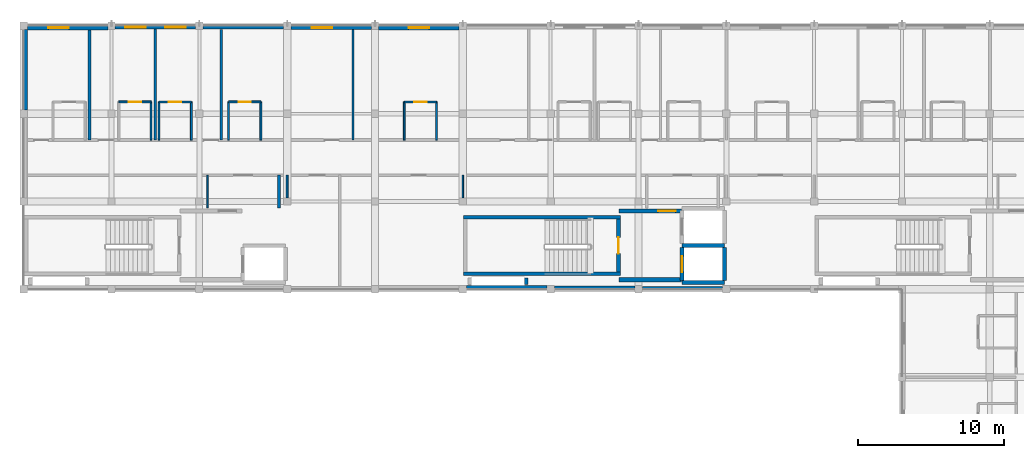
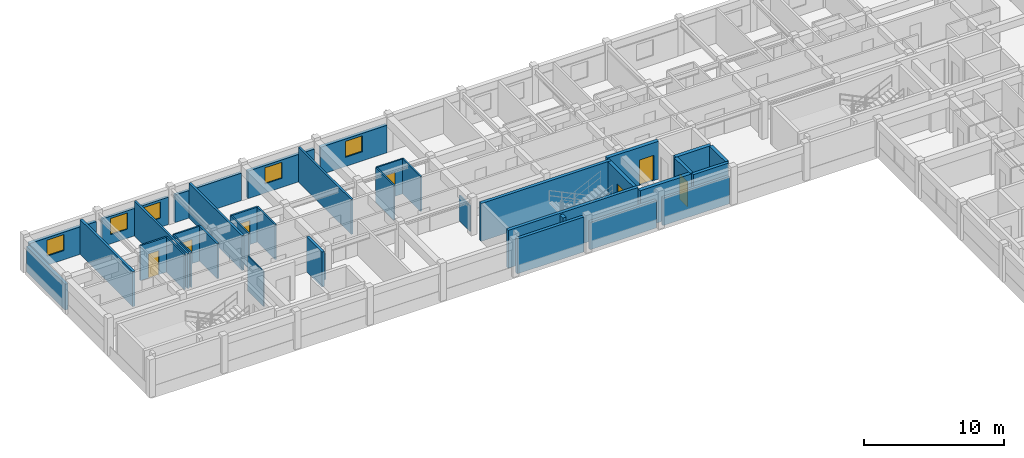
# One storey, part 4 of 14: 38 walls, 7 doors, 5 windows, 12 openings.
"""IFC4 building model written with IfcOpenShell, lengths in metres."""

import ifcopenshell
import ifcopenshell.guid

model = None  # the IFC model being written
_history = None  # IfcOwnerHistory: only IFC2X3 demands one
_inside = {}  # id of a spatial element -> (the spatial element, [elements in it])
_under = {}  # id of a project, library or spatial element -> (it, [spatial elements below it])
_declared = {}  # id of a project -> (the project, [libraries it declares])
_typed = {}  # id of a type object -> (the type object, [elements of that type])
_made_of = {}  # id of a material, layer set ... -> (it, [elements and type objects made of it])


def new_model(schema):
    """Start an empty IFC model of exactly this schema.

    Asked for "IFC4X3", IfcOpenShell would pick the latest addendum, in which some entities
    have other attributes; the version numbers below select the first issue.
    IFC2X3 requires an IfcOwnerHistory on every rooted entity: one is made here for all.
    """
    global model, _history
    if schema == "IFC4X3":
        model = ifcopenshell.file(schema_version=(4, 3, 0, 0))
    else:
        model = ifcopenshell.file(schema=schema)
    _inside.clear()
    _under.clear()
    _declared.clear()
    _typed.clear()
    _made_of.clear()
    _history = None
    if model.schema == "IFC2X3":
        org = make("IfcOrganization", Name="unknown")
        user = make(
            "IfcPersonAndOrganization",
            ThePerson=make("IfcPerson", FamilyName="unknown"),
            TheOrganization=org,
        )
        app = make(
            "IfcApplication",
            ApplicationDeveloper=org,
            Version="unknown",
            ApplicationFullName="unknown",
            ApplicationIdentifier="unknown",
        )
        _history = make(
            "IfcOwnerHistory",
            OwningUser=user,
            OwningApplication=app,
            ChangeAction="ADDED",
            CreationDate=0,
        )
    return model


def make(cls, **values):
    """One entity of the class cls with the attributes given. An attribute that is None is left unset."""
    return model.create_entity(
        cls, **{name: value for name, value in values.items() if value is not None}
    )


def rooted(cls, **values):
    """An entity with a GlobalId (a new one), such as an element, a storey or a relation."""
    return make(cls, GlobalId=ifcopenshell.guid.new(), OwnerHistory=_history, **values)


def si_unit(unit_type, name, prefix=None):
    """IfcSIUnit, for example si_unit("LENGTHUNIT", "METRE", prefix="MILLI")."""
    return make("IfcSIUnit", UnitType=unit_type, Prefix=prefix, Name=name)


def assignment(units):
    """IfcUnitAssignment: the units of a project."""
    return None if units is None else make("IfcUnitAssignment", Units=units)


def point(xyz):
    """IfcCartesianPoint."""
    return None if xyz is None else make("IfcCartesianPoint", Coordinates=xyz)


def direction(xyz):
    """IfcDirection."""
    return None if xyz is None else make("IfcDirection", DirectionRatios=xyz)


def frame(location, z_axis=None, x_axis=None):
    """IfcAxis2Placement3D, a coordinate frame: its origin and axes. An axis left out is left unset."""
    return make(
        "IfcAxis2Placement3D",
        Location=point(location),
        Axis=direction(z_axis),
        RefDirection=direction(x_axis),
    )


def frame_2d(location, x_axis=None):
    """IfcAxis2Placement2D, a coordinate frame in the plane: its origin and x axis."""
    return make(
        "IfcAxis2Placement2D", Location=point(location), RefDirection=direction(x_axis)
    )


def origin():
    """The frame at (0, 0, 0) with its axes left unset."""
    return frame((0.0, 0.0, 0.0))


def place(relative_to, where):
    """IfcLocalPlacement: puts the frame where relative to a parent placement (None: the world)."""
    return make(
        "IfcLocalPlacement", PlacementRelTo=relative_to, RelativePlacement=where
    )


def context(
    kind, dimensions, precision=None, world=None, true_north=None, identifier=None
):
    """IfcGeometricRepresentationContext, for example the 3D "Model" context."""
    return make(
        "IfcGeometricRepresentationContext",
        ContextIdentifier=identifier,
        ContextType=kind,
        CoordinateSpaceDimension=dimensions,
        Precision=precision,
        WorldCoordinateSystem=world,
        TrueNorth=true_north,
    )


def subcontext(parent, identifier, kind, view, scale=None):
    """IfcGeometricRepresentationSubContext, for example "Body" below "Model"."""
    return make(
        "IfcGeometricRepresentationSubContext",
        ContextIdentifier=identifier,
        ContextType=kind,
        ParentContext=parent,
        TargetScale=scale,
        TargetView=view,
    )


def project(units=None, contexts=None):
    """IfcProject with its units and contexts."""
    return rooted(
        "IfcProject",
        Name="project",
        RepresentationContexts=contexts,
        UnitsInContext=assignment(units),
    )


def spatial(cls, under=None, at=None, **own):
    """A site, building, storey or space (cls), placed at a placement, below another one or the project."""
    s = rooted(cls, ObjectPlacement=at, **own)
    if under is not None:
        _under.setdefault(under.id(), (under, []))[1].append(s)
    return s


def profile(cls, at=None, kind="AREA", **sizes):
    """A parametric profile (cls). Its sizes go by their IFC names, for example OverallWidth=200.0."""
    return make(cls, ProfileType=kind, Position=at, **sizes)


def rectangle(**sizes):
    """IfcRectangleProfileDef."""
    return profile("IfcRectangleProfileDef", **sizes)


def extrude(swept, where, along, depth):
    """IfcExtrudedAreaSolid: the profile swept, set in the frame where, extruded along a direction by depth."""
    return make(
        "IfcExtrudedAreaSolid",
        SweptArea=swept,
        Position=where,
        ExtrudedDirection=direction(along),
        Depth=depth,
    )


def shape(context_of_items, identifier, shape_type, items):
    """IfcShapeRepresentation: the items that make up one representation, for example the "Body"."""
    return make(
        "IfcShapeRepresentation",
        ContextOfItems=context_of_items,
        RepresentationIdentifier=identifier,
        RepresentationType=shape_type,
        Items=items,
    )


def material(Name=None, Category=None):
    """IfcMaterial."""
    return make("IfcMaterial", Name=Name, Category=Category)


def layer(
    of_material, thickness, ventilated=None, Name=None, Category=None, Priority=None
):
    """IfcMaterialLayer: one layer of a wall or slab, of a material (None: an air gap)."""
    return make(
        "IfcMaterialLayer",
        Material=of_material,
        LayerThickness=thickness,
        IsVentilated=ventilated,
        Name=Name,
        Category=Category,
        Priority=Priority,
    )


def layer_set(layers, Name=None):
    """IfcMaterialLayerSet."""
    return make("IfcMaterialLayerSet", MaterialLayers=layers, LayerSetName=Name)


def made_of(thing, what):
    """Note that an element or type object is made of a material, layer set ...; save() writes the relation."""
    if what is not None:
        _made_of.setdefault(what.id(), (what, []))[1].append(thing)
    return thing


def type_object(cls, material=None, **own):
    """A type object (cls), such as IfcWallType, which elements share."""
    return made_of(rooted(cls, **own), material)


def element(
    cls,
    number,
    at=None,
    inside=None,
    cuts=None,
    type_object=None,
    material=None,
    context=None,
    identifier="Body",
    shape_type=None,
    held_by="IfcProductDefinitionShape",
    body=None,
    shapes=None,
    **own,
):
    """One element of the class cls, such as IfcWall. Its Tag is "e" and its number.

    at: its placement. inside: the storey or other place that contains it. cuts: it is an
    opening in that element (IfcRelVoidsElement). A single representation is given by context,
    identifier, shape_type and body (its items); several are given by shapes. held_by: the class
    of the entity that holds the representations. save() writes the other relations.
    """
    e = rooted(cls, Tag="e%d" % number, ObjectPlacement=at, **own)
    if body is not None:
        shapes = [shape(context, identifier, shape_type, body)]
    if shapes is not None:
        e.Representation = make(held_by, Representations=shapes)
    if inside is not None:
        _inside.setdefault(inside.id(), (inside, []))[1].append(e)
    if cuts is not None:
        rooted(
            "IfcRelVoidsElement", RelatingBuildingElement=cuts, RelatedOpeningElement=e
        )
    if type_object is not None:
        _typed.setdefault(type_object.id(), (type_object, []))[1].append(e)
    return made_of(e, material)


def fill(opening, filler):
    """IfcRelFillsElement: the door or window that sits in an opening."""
    return rooted(
        "IfcRelFillsElement",
        RelatingOpeningElement=opening,
        RelatedBuildingElement=filler,
    )


def aggregate(whole, parts):
    """IfcRelAggregates: a whole, such as a stair, and the parts it consists of."""
    return rooted("IfcRelAggregates", RelatingObject=whole, RelatedObjects=parts)


def save(model, path):
    """Write the relations noted so far, then the file.

    IfcRelAggregates (storeys below a building ...), IfcRelContainedInSpatialStructure (elements
    in a storey), IfcRelDefinesByType, IfcRelAssociatesMaterial and IfcRelDeclares: one each for
    every whole, place, type object, material and project.
    """
    for whole, parts in _under.values():
        aggregate(whole, parts)
    for where, things in _inside.values():
        rooted(
            "IfcRelContainedInSpatialStructure",
            RelatedElements=things,
            RelatingStructure=where,
        )
    for kind, things in _typed.values():
        rooted("IfcRelDefinesByType", RelatedObjects=things, RelatingType=kind)
    for what, things in _made_of.values():
        rooted("IfcRelAssociatesMaterial", RelatedObjects=things, RelatingMaterial=what)
    for by, libraries in _declared.values():
        rooted("IfcRelDeclares", RelatingContext=by, RelatedDefinitions=libraries)
    model.write(path)


model = new_model("IFC4")

# Units and contexts
model_context = context("Model", 3, precision=1e-05, world=origin(), true_north=direction((0.0, 1.0)))
body_context = subcontext(model_context, "Body", "Model", "MODEL_VIEW")
ifc_project = project(units=[si_unit("LENGTHUNIT", "METRE"), si_unit("AREAUNIT", "SQUARE_METRE"), si_unit("VOLUMEUNIT", "CUBIC_METRE"), si_unit("PLANEANGLEUNIT", "RADIAN"), si_unit("MASSUNIT", "GRAM", prefix="KILO"), si_unit("THERMODYNAMICTEMPERATUREUNIT", "KELVIN"), si_unit("POWERUNIT", "WATT")], contexts=[model_context])

# Site, building, storey
site_placement = place(None, origin())
site = spatial("IfcSite", under=ifc_project, at=site_placement, CompositionType="ELEMENT")
building_placement = place(site_placement, origin())
building = spatial("IfcBuilding", under=site, at=building_placement, Name="Phaisarnlok Congress Hotel", CompositionType="ELEMENT")
storey_placement = place(building_placement, frame((0.0, 0.0, 48.0)))
storey = spatial("IfcBuildingStorey", under=building, at=storey_placement, Name="L12", CompositionType="ELEMENT", Elevation=48.0)

# Wall, openings, windows
ifc_material_1 = material(Name="Concrete C40/50", Category="concrete")
ifc_layer_1 = layer(ifc_material_1, 0.2099609375, Name="Concrete C40/50")
ifc_layer_set_1 = layer_set([ifc_layer_1], Name="Concrete C40/50")
wall_type_1 = type_object("IfcWallType", Name="WL-EXT-210", PredefinedType="SOLIDWALL", material=ifc_layer_set_1)
wall_1_placement = place(storey_placement, frame((113.7451171875, 125.89501953125, 0.0), z_axis=(0.0, 0.0, 1.0), x_axis=(-1.0, 0.0, 0.0)))
wall_1 = element("IfcWall", 1, at=wall_1_placement, inside=storey, type_object=wall_type_1, Name="Exterior wall EW-07 (L12)", PredefinedType="SOLIDWALL", context=body_context, shape_type="SweptSolid", body=[
    extrude(rectangle(XDim=5.490234375, YDim=0.2099609375, at=frame_2d((2.7451171875, 0.0))), origin(), (0.0, 0.0, 1.0), 2.39990234375),
])
opening_1_placement = place(wall_1_placement, frame((3.407958984375, 0.0, 0.800048828125)))
opening_1 = element("IfcOpeningElement", 2, at=opening_1_placement, cuts=wall_1, Name="Opening W-13", PredefinedType="OPENING", context=body_context, shape_type="SweptSolid", body=[
    extrude(rectangle(XDim=1.39990234375, YDim=1.39990234375, at=frame_2d((0.699951171875, 0.699951171875))), frame((0.0, 0.114990234375, 0.0), z_axis=(0.0, -1.0, 0.0), x_axis=(1.0, 0.0, 0.0)), (0.0, 0.0, 1.0), 0.22998046875),
])
opening_2_placement = place(wall_1_placement, frame((0.681884765625, 0.0, 0.800048828125)))
opening_2 = element("IfcOpeningElement", 3, at=opening_2_placement, cuts=wall_1, Name="Opening W-13", PredefinedType="OPENING", context=body_context, shape_type="SweptSolid", body=[
    extrude(rectangle(XDim=1.39990234375, YDim=1.39990234375, at=frame_2d((0.699951171875, 0.699951171875))), frame((0.0, 0.114990234375, 0.0), z_axis=(0.0, -1.0, 0.0), x_axis=(1.0, 0.0, 0.0)), (0.0, 0.0, 1.0), 0.22998046875),
])
ifc_material_2 = material(Name="Thermally Broken Aluminium & Low-E Double Glazing", Category="aluminium")
window_type = type_object("IfcWindowType", Name="WIN-POD-1400", PartitioningType="SINGLE_PANEL", PredefinedType="WINDOW", material=ifc_material_2)
window_1_placement = place(opening_1_placement, origin())
window_1 = element("IfcWindow", 4, at=window_1_placement, inside=storey, type_object=window_type, Name="Guestroom window W-13 (L12)", OverallHeight=1.39990234375, OverallWidth=1.39990234375, PartitioningType="SINGLE_PANEL", PredefinedType="WINDOW", context=body_context, shape_type="SweptSolid", body=[
    extrude(rectangle(XDim=1.39990234375, YDim=1.39990234375, at=frame_2d((0.699951171875, 0.699951171875))), frame((0.0, 0.030029296875, 0.0), z_axis=(0.0, -1.0, 0.0), x_axis=(1.0, 0.0, 0.0)), (0.0, 0.0, 1.0), 0.06005859375),
])
fill(opening_1, window_1)
window_2_placement = place(opening_2_placement, origin())
window_2 = element("IfcWindow", 5, at=window_2_placement, inside=storey, type_object=window_type, Name="Guestroom window W-13 (L12)", OverallHeight=1.39990234375, OverallWidth=1.39990234375, PartitioningType="SINGLE_PANEL", PredefinedType="WINDOW", context=body_context, shape_type="SweptSolid", body=[
    extrude(rectangle(XDim=1.39990234375, YDim=1.39990234375, at=frame_2d((0.699951171875, 0.699951171875))), frame((0.0, 0.030029296875, 0.0), z_axis=(0.0, -1.0, 0.0), x_axis=(1.0, 0.0, 0.0)), (0.0, 0.0, 1.0), 0.06005859375),
])
fill(opening_2, window_2)

# Walls
wall_2_placement = place(storey_placement, frame((144.2548828125, 108.10498046875, 0.0), z_axis=(0.0, 0.0, 1.0), x_axis=(1.0, 0.0, 0.0)))
element("IfcWall", 6, at=wall_2_placement, inside=storey, type_object=wall_type_1, Name="Exterior wall EW-07 (L12)", PredefinedType="SOLIDWALL", context=body_context, shape_type="SweptSolid", body=[
    extrude(rectangle(XDim=5.490234375, YDim=0.2099609375, at=frame_2d((2.7451171875, 0.0))), origin(), (0.0, 0.0, 1.0), 2.39990234375),
])
ifc_layer_2 = layer(ifc_material_1, 0.22998046875, Name="Concrete C40/50")
ifc_layer_set_2 = layer_set([ifc_layer_2], Name="Concrete C40/50")
wall_type_2 = type_object("IfcWallType", Name="WL-EXT-230", PredefinedType="SOLIDWALL", material=ifc_layer_set_2)
for number, where, z_axis, x_axis, name in (
    (7, (119.7451171875, 125.885009765625, 0.0), (0.0, 0.0, 1.0), (-1.0, 0.0, 0.0), "Exterior wall EW-06 (L12)"),
    (8, (138.2548828125, 108.114990234375, 0.0), (0.0, 0.0, 1.0), (1.0, 0.0, 0.0), "Exterior wall EW-06 (L12)"),
):
    element("IfcWall", number, at=place(storey_placement, frame(where, z_axis=z_axis, x_axis=x_axis)), inside=storey, type_object=wall_type_2, Name=name, PredefinedType="SOLIDWALL", context=body_context, shape_type="SweptSolid", body=[
        extrude(rectangle(XDim=5.490234375, YDim=0.22998046875, at=frame_2d((2.7451171875, 0.0))), origin(), (0.0, 0.0, 1.0), 2.39990234375),
    ])

# Wall, opening, window
ifc_layer_3 = layer(ifc_material_1, 0.25, Name="Concrete C40/50")
ifc_layer_set_3 = layer_set([ifc_layer_3], Name="Concrete C40/50")
wall_type_3 = type_object("IfcWallType", Name="WL-EXT-250", PredefinedType="SOLIDWALL", material=ifc_layer_set_3)
wall_3_placement = place(storey_placement, frame((125.7451171875, 125.875, 0.0), z_axis=(0.0, 0.0, 1.0), x_axis=(-1.0, 0.0, 0.0)))
wall_3 = element("IfcWall", 9, at=wall_3_placement, inside=storey, type_object=wall_type_3, Name="Exterior wall EW-05 (L12)", PredefinedType="SOLIDWALL", context=body_context, shape_type="SweptSolid", body=[
    extrude(rectangle(XDim=5.490234375, YDim=0.25, at=frame_2d((2.7451171875, 0.0))), origin(), (0.0, 0.0, 1.0), 2.39990234375),
])
opening_3_placement = place(wall_3_placement, frame((2.657958984375, 0.0, 0.800048828125)))
opening_3 = element("IfcOpeningElement", 10, at=opening_3_placement, cuts=wall_3, Name="Opening W-13", PredefinedType="OPENING", context=body_context, shape_type="SweptSolid", body=[
    extrude(rectangle(XDim=1.39990234375, YDim=1.39990234375, at=frame_2d((0.699951171875, 0.699951171875))), frame((0.0, 0.135009765625, 0.0), z_axis=(0.0, -1.0, 0.0), x_axis=(1.0, 0.0, 0.0)), (0.0, 0.0, 1.0), 0.27001953125),
])
window_3_placement = place(opening_3_placement, origin())
window_3 = element("IfcWindow", 11, at=window_3_placement, inside=storey, type_object=window_type, Name="Guestroom window W-13 (L12)", OverallHeight=1.39990234375, OverallWidth=1.39990234375, PartitioningType="SINGLE_PANEL", PredefinedType="WINDOW", context=body_context, shape_type="SweptSolid", body=[
    extrude(rectangle(XDim=1.39990234375, YDim=1.39990234375, at=frame_2d((0.699951171875, 0.699951171875))), frame((0.0, 0.030029296875, 0.0), z_axis=(0.0, -1.0, 0.0), x_axis=(1.0, 0.0, 0.0)), (0.0, 0.0, 1.0), 0.06005859375),
])
fill(opening_3, window_3)

# Walls
wall_4_placement = place(storey_placement, frame((102.125, 125.7451171875, 0.0), z_axis=(0.0, 0.0, 1.0), x_axis=(0.0, -1.0, 0.0)))
element("IfcWall", 12, at=wall_4_placement, inside=storey, type_object=wall_type_3, Name="Exterior wall EW-05 (L12)", PredefinedType="SOLIDWALL", context=body_context, shape_type="SweptSolid", body=[
    extrude(rectangle(XDim=5.490234375, YDim=0.25, at=frame_2d((2.7451171875, 0.0))), origin(), (0.0, 0.0, 1.0), 2.25),
])
wall_5_placement = place(storey_placement, frame((132.2548828125, 108.125, 0.0), z_axis=(0.0, 0.0, 1.0), x_axis=(1.0, 0.0, 0.0)))
element("IfcWall", 13, at=wall_5_placement, inside=storey, type_object=wall_type_3, Name="Exterior wall EW-05 (L12)", PredefinedType="SOLIDWALL", context=body_context, shape_type="SweptSolid", body=[
    extrude(rectangle(XDim=5.490234375, YDim=0.25, at=frame_2d((2.7451171875, 0.0))), origin(), (0.0, 0.0, 1.0), 3.050048828125),
])

# Wall, opening, window
ifc_layer_4 = layer(ifc_material_1, 0.27001953125, Name="Concrete C40/50")
ifc_layer_set_4 = layer_set([ifc_layer_4], Name="Concrete C40/50")
wall_type_4 = type_object("IfcWallType", Name="WL-EXT-270", PredefinedType="SOLIDWALL", material=ifc_layer_set_4)
wall_6_placement = place(storey_placement, frame((131.7451171875, 125.864990234375, 0.0), z_axis=(0.0, 0.0, 1.0), x_axis=(-1.0, 0.0, 0.0)))
wall_6 = element("IfcWall", 14, at=wall_6_placement, inside=storey, type_object=wall_type_4, Name="Exterior wall EW-04 (L12)", PredefinedType="SOLIDWALL", context=body_context, shape_type="SweptSolid", body=[
    extrude(rectangle(XDim=5.490234375, YDim=0.27001953125, at=frame_2d((2.7451171875, 0.0))), origin(), (0.0, 0.0, 1.0), 2.39990234375),
])
opening_4_placement = place(wall_6_placement, frame((2.044921875, 0.0, 0.800048828125)))
opening_4 = element("IfcOpeningElement", 15, at=opening_4_placement, cuts=wall_6, Name="Opening W-13", PredefinedType="OPENING", context=body_context, shape_type="SweptSolid", body=[
    extrude(rectangle(XDim=1.39990234375, YDim=1.39990234375, at=frame_2d((0.699951171875, 0.699951171875))), frame((0.0, 0.14501953125, 0.0), z_axis=(0.0, -1.0, 0.0), x_axis=(1.0, 0.0, 0.0)), (0.0, 0.0, 1.0), 0.2900390625),
])
window_4_placement = place(opening_4_placement, origin())
window_4 = element("IfcWindow", 16, at=window_4_placement, inside=storey, type_object=window_type, Name="Guestroom window W-13 (L12)", OverallHeight=1.39990234375, OverallWidth=1.39990234375, PartitioningType="SINGLE_PANEL", PredefinedType="WINDOW", context=body_context, shape_type="SweptSolid", body=[
    extrude(rectangle(XDim=1.39990234375, YDim=1.39990234375, at=frame_2d((0.699951171875, 0.699951171875))), frame((0.0, 0.030029296875, 0.0), z_axis=(0.0, -1.0, 0.0), x_axis=(1.0, 0.0, 0.0)), (0.0, 0.0, 1.0), 0.06005859375),
])
fill(opening_4, window_4)

wall_7_placement = place(storey_placement, frame((107.7451171875, 125.864990234375, 0.0), z_axis=(0.0, 0.0, 1.0), x_axis=(-1.0, 0.0, 0.0)))
wall_7 = element("IfcWall", 17, at=wall_7_placement, inside=storey, type_object=wall_type_4, Name="Exterior wall EW-04 (L12)", PredefinedType="SOLIDWALL", context=body_context, shape_type="SweptSolid", body=[
    extrude(rectangle(XDim=5.490234375, YDim=0.27001953125, at=frame_2d((2.7451171875, 0.0))), origin(), (0.0, 0.0, 1.0), 2.39990234375),
])
opening_5_placement = place(wall_7_placement, frame((2.657958984375, 0.0, 0.800048828125)))
opening_5 = element("IfcOpeningElement", 18, at=opening_5_placement, cuts=wall_7, Name="Opening W-13", PredefinedType="OPENING", context=body_context, shape_type="SweptSolid", body=[
    extrude(rectangle(XDim=1.39990234375, YDim=1.39990234375, at=frame_2d((0.699951171875, 0.699951171875))), frame((0.0, 0.14501953125, 0.0), z_axis=(0.0, -1.0, 0.0), x_axis=(1.0, 0.0, 0.0)), (0.0, 0.0, 1.0), 0.2900390625),
])
window_5_placement = place(opening_5_placement, origin())
window_5 = element("IfcWindow", 19, at=window_5_placement, inside=storey, type_object=window_type, Name="Guestroom window W-13 (L12)", OverallHeight=1.39990234375, OverallWidth=1.39990234375, PartitioningType="SINGLE_PANEL", PredefinedType="WINDOW", context=body_context, shape_type="SweptSolid", body=[
    extrude(rectangle(XDim=1.39990234375, YDim=1.39990234375, at=frame_2d((0.699951171875, 0.699951171875))), frame((0.0, 0.030029296875, 0.0), z_axis=(0.0, -1.0, 0.0), x_axis=(1.0, 0.0, 0.0)), (0.0, 0.0, 1.0), 0.06005859375),
])
fill(opening_5, window_5)

# Walls
ifc_material_3 = material(Name="Service Riser Shaftwall Partition", Category="gypsum")
ifc_layer_5 = layer(ifc_material_3, 0.10498046875, Name="Service Riser Shaftwall Partition")
ifc_layer_set_5 = layer_set([ifc_layer_5], Name="Service Riser Shaftwall Partition")
wall_type_5 = type_object("IfcWallType", Name="WL-INT-105", PredefinedType="PARTITIONING", material=ifc_layer_set_5)
wall_8_placement = place(storey_placement, frame((114.550048828125, 113.56005859375, 0.0), z_axis=(0.0, 0.0, 1.0), x_axis=(0.0, 1.0, 0.0)))
element("IfcWall", 20, at=wall_8_placement, inside=storey, type_object=wall_type_5, Name="Interior partition wall IW-08 (L12)", PredefinedType="PARTITIONING", context=body_context, shape_type="SweptSolid", body=[
    extrude(rectangle(XDim=2.239990234375, YDim=0.10498046875, at=frame_2d((1.1201171875, 0.0))), origin(), (0.0, 0.0, 1.0), 3.050048828125),
])
wall_9_placement = place(storey_placement, frame((132.0, 114.2548828125, 0.0), z_axis=(0.0, 0.0, 1.0), x_axis=(0.0, 1.0, 0.0)))
element("IfcWall", 21, at=wall_9_placement, inside=storey, type_object=wall_type_5, Name="Interior partition wall IW-08 (L12)", PredefinedType="PARTITIONING", context=body_context, shape_type="SweptSolid", body=[
    extrude(rectangle(XDim=1.545166015625, YDim=0.10498046875, at=frame_2d((0.7724609375, 0.0))), origin(), (0.0, 0.0, 1.0), 2.25),
])
ifc_material_4 = material(Name="Lightweight Metal-Stud Gypsum Partition", Category="gypsum")
ifc_layer_6 = layer(ifc_material_4, 0.1201171875, Name="Lightweight Metal-Stud Gypsum Partition")
ifc_layer_set_6 = layer_set([ifc_layer_6], Name="Lightweight Metal-Stud Gypsum Partition")
wall_type_6 = type_object("IfcWallType", Name="WL-INT-120", PredefinedType="PARTITIONING", material=ifc_layer_set_6)
for number, where, z_axis, x_axis, name in (
    (22, (110.699951171875, 118.199951171875, 0.0), (0.0, 0.0, 1.0), (0.0, 1.0, 0.0), "Interior partition wall IW-07 (L12)"),
    (23, (111.25, 118.199951171875, 0.0), (0.0, 0.0, 1.0), (0.0, 1.0, 0.0), "Interior partition wall IW-07 (L12)"),
    (24, (116.0, 118.199951171875, 0.0), (0.0, 0.0, 1.0), (0.0, 1.0, 0.0), "Interior partition wall IW-07 (L12)"),
    (25, (128.0, 118.199951171875, 0.0), (0.0, 0.0, 1.0), (0.0, 1.0, 0.0), "Interior partition wall IW-07 (L12)"),
):
    element("IfcWall", number, at=place(storey_placement, frame(where, z_axis=z_axis, x_axis=x_axis)), inside=storey, type_object=wall_type_6, Name=name, PredefinedType="PARTITIONING", context=body_context, shape_type="SweptSolid", body=[
        extrude(rectangle(XDim=2.60009765625, YDim=0.1201171875, at=frame_2d((1.300048828125, 0.0))), origin(), (0.0, 0.0, 1.0), 3.050048828125),
    ])

# Wall, opening, door
wall_10_placement = place(storey_placement, frame((111.25, 120.800048828125, 0.0), z_axis=(0.0, 0.0, 1.0), x_axis=(1.0, 0.0, 0.0)))
wall_10 = element("IfcWall", 26, at=wall_10_placement, inside=storey, type_object=wall_type_6, Name="Interior partition wall IW-07 (L12)", PredefinedType="PARTITIONING", context=body_context, shape_type="SweptSolid", body=[
    extrude(rectangle(XDim=2.199951171875, YDim=0.1201171875, at=frame_2d((1.10009765625, 0.0))), origin(), (0.0, 0.0, 1.0), 3.050048828125),
])
opening_6_placement = place(wall_10_placement, frame((0.675048828125, 0.0, 0.0)))
opening_6 = element("IfcOpeningElement", 27, at=opening_6_placement, cuts=wall_10, Name="Opening D-0683", PredefinedType="OPENING", context=body_context, shape_type="SweptSolid", body=[
    extrude(rectangle(XDim=0.85009765625, YDim=2.10009765625, at=frame_2d((0.425048828125, 1.050048828125))), frame((0.0, 0.070068359375, 0.0), z_axis=(0.0, -1.0, 0.0), x_axis=(1.0, 0.0, 0.0)), (0.0, 0.0, 1.0), 0.14013671875),
])
ifc_material_5 = material(Name="Moisture-Resistant Lacquered Timber", Category="wood")
door_type_1 = type_object("IfcDoorType", Name="DR-BATH-850", OperationType="NOTDEFINED", PredefinedType="DOOR", material=ifc_material_5)
door_1_placement = place(opening_6_placement, origin())
door_1 = element("IfcDoor", 28, at=door_1_placement, inside=storey, type_object=door_type_1, Name="Interior door D-0683 (L12)", OperationType="SINGLE_SWING_RIGHT", OverallHeight=2.10009765625, OverallWidth=0.85009765625, PredefinedType="DOOR", context=body_context, shape_type="SweptSolid", body=[
    extrude(rectangle(XDim=0.85009765625, YDim=2.10009765625, at=frame_2d((0.425048828125, 1.050048828125))), frame((0.0, 0.02490234375, 0.0), z_axis=(0.0, -1.0, 0.0), x_axis=(1.0, 0.0, 0.0)), (0.0, 0.0, 1.0), 0.050048828125),
])
fill(opening_6, door_1)

wall_11_placement = place(storey_placement, frame((128.0, 120.800048828125, 0.0), z_axis=(0.0, 0.0, 1.0), x_axis=(1.0, 0.0, 0.0)))
wall_11 = element("IfcWall", 29, at=wall_11_placement, inside=storey, type_object=wall_type_6, Name="Interior partition wall IW-07 (L12)", PredefinedType="PARTITIONING", context=body_context, shape_type="SweptSolid", body=[
    extrude(rectangle(XDim=2.199951171875, YDim=0.1201171875, at=frame_2d((1.10009765625, 0.0))), origin(), (0.0, 0.0, 1.0), 3.050048828125),
])
opening_7_placement = place(wall_11_placement, frame((0.675048828125, 0.0, 0.0)))
opening_7 = element("IfcOpeningElement", 30, at=opening_7_placement, cuts=wall_11, Name="Opening D-0687", PredefinedType="OPENING", context=body_context, shape_type="SweptSolid", body=[
    extrude(rectangle(XDim=0.85009765625, YDim=2.10009765625, at=frame_2d((0.425048828125, 1.050048828125))), frame((0.0, 0.070068359375, 0.0), z_axis=(0.0, -1.0, 0.0), x_axis=(1.0, 0.0, 0.0)), (0.0, 0.0, 1.0), 0.14013671875),
])
door_2_placement = place(opening_7_placement, origin())
door_2 = element("IfcDoor", 31, at=door_2_placement, inside=storey, type_object=door_type_1, Name="Interior door D-0687 (L12)", OperationType="SINGLE_SWING_RIGHT", OverallHeight=2.10009765625, OverallWidth=0.85009765625, PredefinedType="DOOR", context=body_context, shape_type="SweptSolid", body=[
    extrude(rectangle(XDim=0.85009765625, YDim=2.10009765625, at=frame_2d((0.425048828125, 1.050048828125))), frame((0.0, 0.02490234375, 0.0), z_axis=(0.0, -1.0, 0.0), x_axis=(1.0, 0.0, 0.0)), (0.0, 0.0, 1.0), 0.050048828125),
])
fill(opening_7, door_2)

# Walls
ifc_material_6 = material(Name="Moisture-Resistant Gypsum Partition", Category="gypsum")
ifc_layer_7 = layer(ifc_material_6, 0.135009765625, Name="Moisture-Resistant Gypsum Partition")
ifc_layer_set_7 = layer_set([ifc_layer_7], Name="Moisture-Resistant Gypsum Partition")
wall_type_7 = type_object("IfcWallType", Name="WL-INT-135", PredefinedType="PARTITIONING", material=ifc_layer_set_7)
for number, where, z_axis, x_axis, name in (
    (32, (113.449951171875, 118.199951171875, 0.0), (0.0, 0.0, 1.0), (0.0, 1.0, 0.0), "Interior partition wall IW-06 (L12)"),
    (33, (118.199951171875, 118.199951171875, 0.0), (0.0, 0.0, 1.0), (0.0, 1.0, 0.0), "Interior partition wall IW-06 (L12)"),
):
    element("IfcWall", number, at=place(storey_placement, frame(where, z_axis=z_axis, x_axis=x_axis)), inside=storey, type_object=wall_type_7, Name=name, PredefinedType="PARTITIONING", context=body_context, shape_type="SweptSolid", body=[
        extrude(rectangle(XDim=2.60009765625, YDim=0.135009765625, at=frame_2d((1.300048828125, 0.0))), origin(), (0.0, 0.0, 1.0), 3.050048828125),
    ])
wall_12_placement = place(storey_placement, frame((120.0, 114.2548828125, 0.0), z_axis=(0.0, 0.0, 1.0), x_axis=(0.0, 1.0, 0.0)))
element("IfcWall", 34, at=wall_12_placement, inside=storey, type_object=wall_type_7, Name="Interior partition wall IW-06 (L12)", PredefinedType="PARTITIONING", context=body_context, shape_type="SweptSolid", body=[
    extrude(rectangle(XDim=1.545166015625, YDim=0.135009765625, at=frame_2d((0.7724609375, 0.0))), origin(), (0.0, 0.0, 1.0), 2.25),
])
wall_13_placement = place(storey_placement, frame((130.199951171875, 118.199951171875, 0.0), z_axis=(0.0, 0.0, 1.0), x_axis=(0.0, 1.0, 0.0)))
element("IfcWall", 35, at=wall_13_placement, inside=storey, type_object=wall_type_7, Name="Interior partition wall IW-06 (L12)", PredefinedType="PARTITIONING", context=body_context, shape_type="SweptSolid", body=[
    extrude(rectangle(XDim=2.60009765625, YDim=0.135009765625, at=frame_2d((1.300048828125, 0.0))), origin(), (0.0, 0.0, 1.0), 3.050048828125),
])

# Wall, opening, door
wall_14_placement = place(storey_placement, frame((108.5, 120.800048828125, 0.0), z_axis=(0.0, 0.0, 1.0), x_axis=(1.0, 0.0, 0.0)))
wall_14 = element("IfcWall", 36, at=wall_14_placement, inside=storey, type_object=wall_type_7, Name="Interior partition wall IW-06 (L12)", PredefinedType="PARTITIONING", context=body_context, shape_type="SweptSolid", body=[
    extrude(rectangle(XDim=2.199951171875, YDim=0.135009765625, at=frame_2d((1.10009765625, 0.0))), origin(), (0.0, 0.0, 1.0), 3.050048828125),
])
opening_8_placement = place(wall_14_placement, frame((0.675048828125, 0.0, 0.0)))
opening_8 = element("IfcOpeningElement", 37, at=opening_8_placement, cuts=wall_14, Name="Opening D-0681", PredefinedType="OPENING", context=body_context, shape_type="SweptSolid", body=[
    extrude(rectangle(XDim=0.85009765625, YDim=2.10009765625, at=frame_2d((0.425048828125, 1.050048828125))), frame((0.0, 0.07763671875, 0.0), z_axis=(0.0, -1.0, 0.0), x_axis=(1.0, 0.0, 0.0)), (0.0, 0.0, 1.0), 0.155029296875),
])
door_3_placement = place(opening_8_placement, origin())
door_3 = element("IfcDoor", 38, at=door_3_placement, inside=storey, type_object=door_type_1, Name="Interior door D-0681 (L12)", OperationType="SINGLE_SWING_RIGHT", OverallHeight=2.10009765625, OverallWidth=0.85009765625, PredefinedType="DOOR", context=body_context, shape_type="SweptSolid", body=[
    extrude(rectangle(XDim=0.85009765625, YDim=2.10009765625, at=frame_2d((0.425048828125, 1.050048828125))), frame((0.0, 0.02490234375, 0.0), z_axis=(0.0, -1.0, 0.0), x_axis=(1.0, 0.0, 0.0)), (0.0, 0.0, 1.0), 0.050048828125),
])
fill(opening_8, door_3)

wall_15_placement = place(storey_placement, frame((116.0, 120.800048828125, 0.0), z_axis=(0.0, 0.0, 1.0), x_axis=(1.0, 0.0, 0.0)))
wall_15 = element("IfcWall", 39, at=wall_15_placement, inside=storey, type_object=wall_type_7, Name="Interior partition wall IW-06 (L12)", PredefinedType="PARTITIONING", context=body_context, shape_type="SweptSolid", body=[
    extrude(rectangle(XDim=2.199951171875, YDim=0.135009765625, at=frame_2d((1.10009765625, 0.0))), origin(), (0.0, 0.0, 1.0), 3.050048828125),
])
opening_9_placement = place(wall_15_placement, frame((0.675048828125, 0.0, 0.0)))
opening_9 = element("IfcOpeningElement", 40, at=opening_9_placement, cuts=wall_15, Name="Opening D-0685", PredefinedType="OPENING", context=body_context, shape_type="SweptSolid", body=[
    extrude(rectangle(XDim=0.85009765625, YDim=2.10009765625, at=frame_2d((0.425048828125, 1.050048828125))), frame((0.0, 0.07763671875, 0.0), z_axis=(0.0, -1.0, 0.0), x_axis=(1.0, 0.0, 0.0)), (0.0, 0.0, 1.0), 0.155029296875),
])
door_4_placement = place(opening_9_placement, origin())
door_4 = element("IfcDoor", 41, at=door_4_placement, inside=storey, type_object=door_type_1, Name="Interior door D-0685 (L12)", OperationType="SINGLE_SWING_RIGHT", OverallHeight=2.10009765625, OverallWidth=0.85009765625, PredefinedType="DOOR", context=body_context, shape_type="SweptSolid", body=[
    extrude(rectangle(XDim=0.85009765625, YDim=2.10009765625, at=frame_2d((0.425048828125, 1.050048828125))), frame((0.0, 0.02490234375, 0.0), z_axis=(0.0, -1.0, 0.0), x_axis=(1.0, 0.0, 0.0)), (0.0, 0.0, 1.0), 0.050048828125),
])
fill(opening_9, door_4)

# Walls
ifc_material_7 = material(Name="Double-Stud Acoustic Gypsum Partition", Category="gypsum")
ifc_layer_8 = layer(ifc_material_7, 0.159912109375, Name="Double-Stud Acoustic Gypsum Partition")
ifc_layer_set_8 = layer_set([ifc_layer_8], Name="Double-Stud Acoustic Gypsum Partition")
wall_type_8 = type_object("IfcWallType", Name="WL-INT-160", PredefinedType="PARTITIONING", material=ifc_layer_set_8)
wall_16_placement = place(storey_placement, frame((111.0, 118.199951171875, 0.0), z_axis=(0.0, 0.0, 1.0), x_axis=(0.0, 1.0, 0.0)))
element("IfcWall", 42, at=wall_16_placement, inside=storey, type_object=wall_type_8, Name="Interior partition wall IW-04 (L12)", PredefinedType="PARTITIONING", context=body_context, shape_type="SweptSolid", body=[
    extrude(rectangle(XDim=7.5849609375, YDim=0.159912109375, at=frame_2d((3.79248046875, 0.0))), origin(), (0.0, 0.0, 1.0), 3.050048828125),
])
wall_17_placement = place(storey_placement, frame((124.5, 118.199951171875, 0.0), z_axis=(0.0, 0.0, 1.0), x_axis=(0.0, 1.0, 0.0)))
element("IfcWall", 43, at=wall_17_placement, inside=storey, type_object=wall_type_8, Name="Interior partition wall IW-04 (L12)", PredefinedType="PARTITIONING", context=body_context, shape_type="SweptSolid", body=[
    extrude(rectangle(XDim=7.545166015625, YDim=0.159912109375, at=frame_2d((3.7724609375, 0.0))), origin(), (0.0, 0.0, 1.0), 3.050048828125),
])
ifc_material_8 = material(Name="Autoclaved Aerated Concrete Block", Category="concrete")
ifc_layer_9 = layer(ifc_material_8, 0.179931640625, Name="Autoclaved Aerated Concrete Block")
ifc_layer_set_9 = layer_set([ifc_layer_9], Name="Autoclaved Aerated Concrete Block")
wall_type_9 = type_object("IfcWallType", Name="WL-INT-180", PredefinedType="PARTITIONING", material=ifc_layer_set_9)
wall_18_placement = place(storey_placement, frame((115.5, 118.199951171875, 0.0), z_axis=(0.0, 0.0, 1.0), x_axis=(0.0, 1.0, 0.0)))
element("IfcWall", 44, at=wall_18_placement, inside=storey, type_object=wall_type_9, Name="Interior partition wall IW-03 (L12)", PredefinedType="PARTITIONING", context=body_context, shape_type="SweptSolid", body=[
    extrude(rectangle(XDim=7.56494140625, YDim=0.179931640625, at=frame_2d((3.782470703125, 0.0))), origin(), (0.0, 0.0, 1.0), 3.050048828125),
])
ifc_layer_10 = layer(ifc_material_8, 0.199951171875, Name="Autoclaved Aerated Concrete Block")
ifc_layer_set_10 = layer_set([ifc_layer_10], Name="Autoclaved Aerated Concrete Block")
wall_type_10 = type_object("IfcWallType", Name="WL-INT-200", PredefinedType="PARTITIONING", material=ifc_layer_set_10)
wall_19_placement = place(storey_placement, frame((106.5, 118.199951171875, 0.0), z_axis=(0.0, 0.0, 1.0), x_axis=(0.0, 1.0, 0.0)))
element("IfcWall", 45, at=wall_19_placement, inside=storey, type_object=wall_type_10, Name="Interior partition wall IW-02 (L12)", PredefinedType="PARTITIONING", context=body_context, shape_type="SweptSolid", body=[
    extrude(rectangle(XDim=7.525146484375, YDim=0.199951171875, at=frame_2d((3.7626953125, 0.0))), origin(), (0.0, 0.0, 1.0), 3.050048828125),
])
wall_20_placement = place(storey_placement, frame((119.449951171875, 113.56005859375, 0.0), z_axis=(0.0, 0.0, 1.0), x_axis=(0.0, 1.0, 0.0)))
element("IfcWall", 46, at=wall_20_placement, inside=storey, type_object=wall_type_10, Name="Interior partition wall IW-02 (L12)", PredefinedType="PARTITIONING", context=body_context, shape_type="SweptSolid", body=[
    extrude(rectangle(XDim=2.239990234375, YDim=0.199951171875, at=frame_2d((1.1201171875, 0.0))), origin(), (0.0, 0.0, 1.0), 3.050048828125),
])
ifc_material_9 = material(Name="Concrete C50/60", Category="concrete")
ifc_layer_11 = layer(ifc_material_9, 0.260009765625, Name="Concrete C50/60")
ifc_layer_set_11 = layer_set([ifc_layer_11], Name="Concrete C50/60")
wall_type_11 = type_object("IfcWallType", Name="WL-SHR-260", PredefinedType="SHEAR", material=ifc_layer_set_11)
for number, where, z_axis, x_axis, name in (
    (47, (132.0400390625, 109.070068359375, 0.0), (0.0, 0.0, 1.0), (1.0, 0.0, 0.0), "Stair shaft shear wall SW-04 (CORE-2 L12)"),
    (48, (132.0400390625, 112.929931640625, 0.0), (0.0, 0.0, 1.0), (1.0, 0.0, 0.0), "Stair shaft shear wall SW-04 (CORE-2 L12)"),
):
    element("IfcWall", number, at=place(storey_placement, frame(where, z_axis=z_axis, x_axis=x_axis)), inside=storey, type_object=wall_type_11, Name=name, PredefinedType="SHEAR", context=body_context, shape_type="SweptSolid", body=[
        extrude(rectangle(XDim=10.719970703125, YDim=0.260009765625, at=frame_2d((5.35986328125, 0.0))), origin(), (0.0, 0.0, 1.0), 3.300048828125),
    ])

# Wall, opening, door
wall_21_placement = place(storey_placement, frame((142.6298828125, 109.199951171875, 0.0), z_axis=(0.0, 0.0, 1.0), x_axis=(0.0, 1.0, 0.0)))
wall_21 = element("IfcWall", 49, at=wall_21_placement, inside=storey, type_object=wall_type_11, Name="Stair shaft shear wall SW-04 (CORE-2 L12)", PredefinedType="SHEAR", context=body_context, shape_type="SweptSolid", body=[
    extrude(rectangle(XDim=3.60009765625, YDim=0.260009765625, at=frame_2d((1.800048828125, 0.0))), origin(), (0.0, 0.0, 1.0), 3.300048828125),
])
opening_10_placement = place(wall_21_placement, frame((1.25, 0.0, 0.0)))
opening_10 = element("IfcOpeningElement", 50, at=opening_10_placement, cuts=wall_21, Name="Opening FD-044", PredefinedType="OPENING", context=body_context, shape_type="SweptSolid", body=[
    extrude(rectangle(XDim=1.10009765625, YDim=2.14990234375, at=frame_2d((0.550048828125, 1.074951171875))), frame((0.0, 0.14013671875, 0.0), z_axis=(0.0, -1.0, 0.0), x_axis=(1.0, 0.0, 0.0)), (0.0, 0.0, 1.0), 0.280029296875),
])
ifc_material_10 = material(Name="Fire-Rated Steel Frame & Timber Leaf", Category="steel")
door_type_2 = type_object("IfcDoorType", Name="DR-FD60-1100", OperationType="NOTDEFINED", PredefinedType="DOOR", material=ifc_material_10)
door_5_placement = place(opening_10_placement, origin())
door_5 = element("IfcDoor", 51, at=door_5_placement, inside=storey, type_object=door_type_2, Name="Stair enclosure fire door FD-044 (L12)", OperationType="SINGLE_SWING_LEFT", OverallHeight=2.14990234375, OverallWidth=1.10009765625, PredefinedType="DOOR", context=body_context, shape_type="SweptSolid", body=[
    extrude(rectangle(XDim=1.10009765625, YDim=2.14990234375, at=frame_2d((0.550048828125, 1.074951171875))), frame((0.0, 0.02490234375, 0.0), z_axis=(0.0, -1.0, 0.0), x_axis=(1.0, 0.0, 0.0)), (0.0, 0.0, 1.0), 0.050048828125),
])
fill(opening_10, door_5)

# Walls
wall_22_placement = place(storey_placement, frame((146.969970703125, 108.469970703125, 0.0), z_axis=(0.0, 0.0, 1.0), x_axis=(1.0, 0.0, 0.0)))
element("IfcWall", 52, at=wall_22_placement, inside=storey, type_object=wall_type_11, Name="Lift shaft shear wall SW-04 (LF-FF2 L12)", PredefinedType="SHEAR", context=body_context, shape_type="SweptSolid", body=[
    extrude(rectangle(XDim=2.909912109375, YDim=0.260009765625, at=frame_2d((1.455078125, 0.0))), origin(), (0.0, 0.0, 1.0), 3.300048828125),
])
wall_23_placement = place(storey_placement, frame((149.8798828125, 108.60009765625, 0.0), z_axis=(0.0, 0.0, 1.0), x_axis=(0.0, 1.0, 0.0)))
element("IfcWall", 53, at=wall_23_placement, inside=storey, type_object=wall_type_11, Name="Lift shaft shear wall SW-04 (LF-FF2 L12)", PredefinedType="SHEAR", context=body_context, shape_type="SweptSolid", body=[
    extrude(rectangle(XDim=2.25, YDim=0.260009765625, at=frame_2d((1.125, 0.0))), origin(), (0.0, 0.0, 1.0), 3.300048828125),
])

# Wall, opening, door
wall_24_placement = place(storey_placement, frame((146.969970703125, 108.60009765625, 0.0), z_axis=(0.0, 0.0, 1.0), x_axis=(0.0, 1.0, 0.0)))
wall_24 = element("IfcWall", 54, at=wall_24_placement, inside=storey, type_object=wall_type_11, Name="Lift shaft front wall SW-04 (LF-FF2 L12)", PredefinedType="SHEAR", context=body_context, shape_type="SweptSolid", body=[
    extrude(rectangle(XDim=2.25, YDim=0.260009765625, at=frame_2d((1.125, 0.0))), origin(), (0.0, 0.0, 1.0), 3.300048828125),
])
opening_11_placement = place(wall_24_placement, frame((0.574951171875, 0.0, 0.0)))
opening_11 = element("IfcOpeningElement", 55, at=opening_11_placement, cuts=wall_24, Name="Opening LD-044", PredefinedType="OPENING", context=body_context, shape_type="SweptSolid", body=[
    extrude(rectangle(XDim=1.10009765625, YDim=2.199951171875, at=frame_2d((0.550048828125, 1.10009765625))), frame((0.0, 0.14013671875, 0.0), z_axis=(0.0, -1.0, 0.0), x_axis=(1.0, 0.0, 0.0)), (0.0, 0.0, 1.0), 0.280029296875),
])
ifc_material_11 = material(Name="Brushed Stainless Steel Grade 304", Category="steel")
door_type_3 = type_object("IfcDoorType", Name="DR-LD-1100", OperationType="DOUBLE_DOOR_SLIDING", PredefinedType="DOOR", material=ifc_material_11)
door_6_placement = place(opening_11_placement, origin())
door_6 = element("IfcDoor", 56, at=door_6_placement, inside=storey, type_object=door_type_3, Name="Lift landing sliding door LD-044 (LF-FF2 L12)", OperationType="DOUBLE_DOOR_SLIDING", OverallHeight=2.199951171875, OverallWidth=1.10009765625, PredefinedType="DOOR", context=body_context, shape_type="SweptSolid", body=[
    extrude(rectangle(XDim=1.10009765625, YDim=2.199951171875, at=frame_2d((0.550048828125, 1.10009765625))), frame((0.0, 0.02490234375, 0.0), z_axis=(0.0, -1.0, 0.0), x_axis=(1.0, 0.0, 0.0)), (0.0, 0.0, 1.0), 0.050048828125),
])
fill(opening_11, door_6)

# Walls
wall_25_placement = place(storey_placement, frame((136.330078125, 108.330078125, 0.0), z_axis=(0.0, 0.0, 1.0), x_axis=(0.0, 1.0, 0.0)))
element("IfcWall", 57, at=wall_25_placement, inside=storey, type_object=wall_type_11, Name="Service riser shaft wall SW-04 (CORE-2 L12)", PredefinedType="SHEAR", context=body_context, shape_type="SweptSolid", body=[
    extrude(rectangle(XDim=0.43994140625, YDim=0.260009765625, at=frame_2d((0.219970703125, 0.0))), origin(), (0.0, 0.0, 1.0), 3.300048828125),
])
ifc_layer_12 = layer(ifc_material_9, 0.300048828125, Name="Concrete C50/60")
ifc_layer_set_12 = layer_set([ifc_layer_12], Name="Concrete C50/60")
wall_type_12 = type_object("IfcWallType", Name="WL-SHR-300", PredefinedType="SHEAR", material=ifc_layer_set_12)
wall_26_placement = place(storey_placement, frame((146.969970703125, 111.0, 0.0), z_axis=(0.0, 0.0, 1.0), x_axis=(1.0, 0.0, 0.0)))
element("IfcWall", 58, at=wall_26_placement, inside=storey, type_object=wall_type_12, Name="Lift shaft divider shear wall SW-03 (LF-FF2 L12)", PredefinedType="SHEAR", context=body_context, shape_type="SweptSolid", body=[
    extrude(rectangle(XDim=2.909912109375, YDim=0.300048828125, at=frame_2d((1.455078125, 0.0))), origin(), (0.0, 0.0, 1.0), 3.300048828125),
])

# Wall, opening, door
wall_27_placement = place(storey_placement, frame((142.679931640625, 113.35009765625, 0.0), z_axis=(0.0, 0.0, 1.0), x_axis=(1.0, 0.0, 0.0)))
wall_27 = element("IfcWall", 59, at=wall_27_placement, inside=storey, type_object=wall_type_12, Name="Core lobby EI-120 wall SW-03 (CORE-2 L12)", PredefinedType="SHEAR", context=body_context, shape_type="SweptSolid", body=[
    extrude(rectangle(XDim=4.239990234375, YDim=0.300048828125, at=frame_2d((2.1201171875, 0.0))), origin(), (0.0, 0.0, 1.0), 3.300048828125),
])
opening_12_placement = place(wall_27_placement, frame((2.64990234375, 0.0, 0.0)))
opening_12 = element("IfcOpeningElement", 60, at=opening_12_placement, cuts=wall_27, Name="Opening FD-059", PredefinedType="OPENING", context=body_context, shape_type="SweptSolid", body=[
    extrude(rectangle(XDim=1.199951171875, YDim=2.199951171875, at=frame_2d((0.60009765625, 1.10009765625))), frame((0.0, 0.16015625, 0.0), z_axis=(0.0, -1.0, 0.0), x_axis=(1.0, 0.0, 0.0)), (0.0, 0.0, 1.0), 0.320068359375),
])
door_type_4 = type_object("IfcDoorType", Name="DR-FD60-1200", OperationType="NOTDEFINED", PredefinedType="DOOR", material=ifc_material_10)
door_7_placement = place(opening_12_placement, origin())
door_7 = element("IfcDoor", 61, at=door_7_placement, inside=storey, type_object=door_type_4, Name="Firefighting lobby entrance door FD-059 (CORE-2 L12)", OperationType="SINGLE_SWING_RIGHT", OverallHeight=2.199951171875, OverallWidth=1.199951171875, PredefinedType="DOOR", context=body_context, shape_type="SweptSolid", body=[
    extrude(rectangle(XDim=1.199951171875, YDim=2.199951171875, at=frame_2d((0.60009765625, 1.10009765625))), frame((0.0, 0.02490234375, 0.0), z_axis=(0.0, -1.0, 0.0), x_axis=(1.0, 0.0, 0.0)), (0.0, 0.0, 1.0), 0.050048828125),
])
fill(opening_12, door_7)

# Wall
wall_28_placement = place(storey_placement, frame((142.679931640625, 108.64990234375, 0.0), z_axis=(0.0, 0.0, 1.0), x_axis=(1.0, 0.0, 0.0)))
element("IfcWall", 62, at=wall_28_placement, inside=storey, type_object=wall_type_12, Name="Core lobby EI-120 wall SW-03 (CORE-2 L12)", PredefinedType="SHEAR", context=body_context, shape_type="SweptSolid", body=[
    extrude(rectangle(XDim=4.239990234375, YDim=0.300048828125, at=frame_2d((2.1201171875, 0.0))), origin(), (0.0, 0.0, 1.0), 3.300048828125),
])

save(model, "model.ifc")
